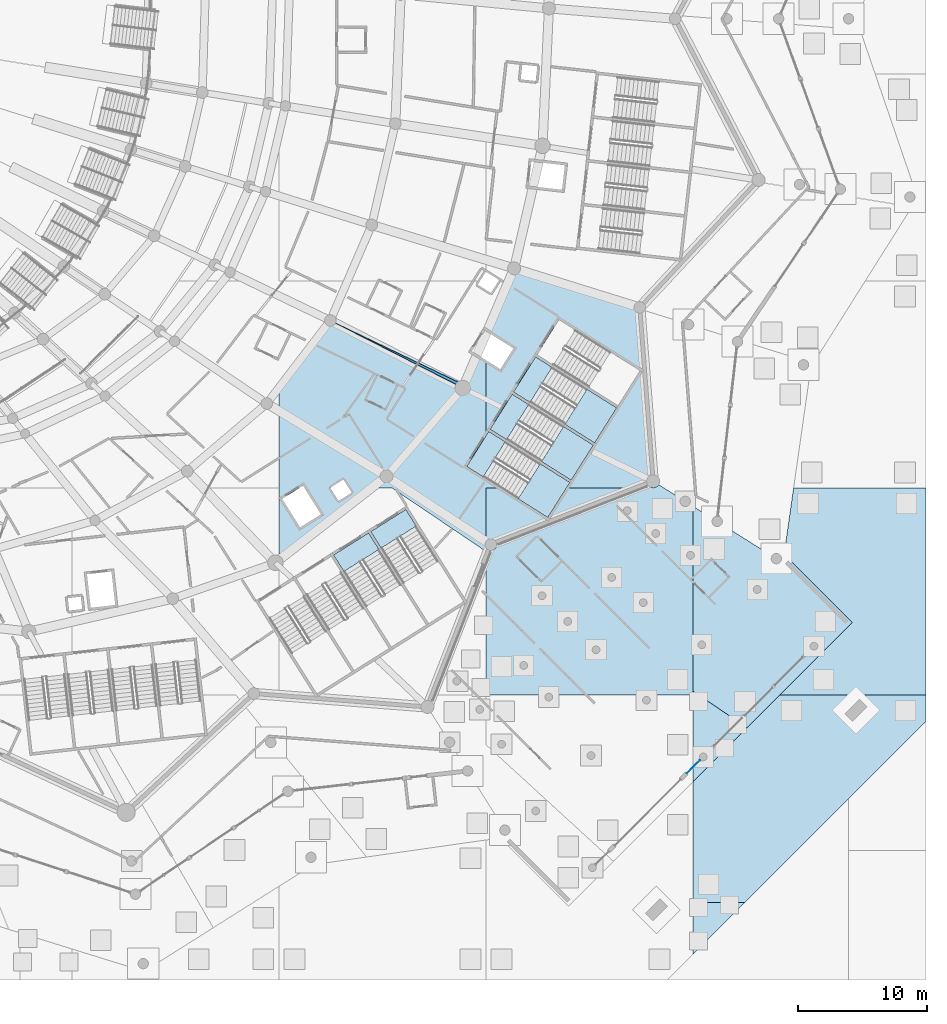
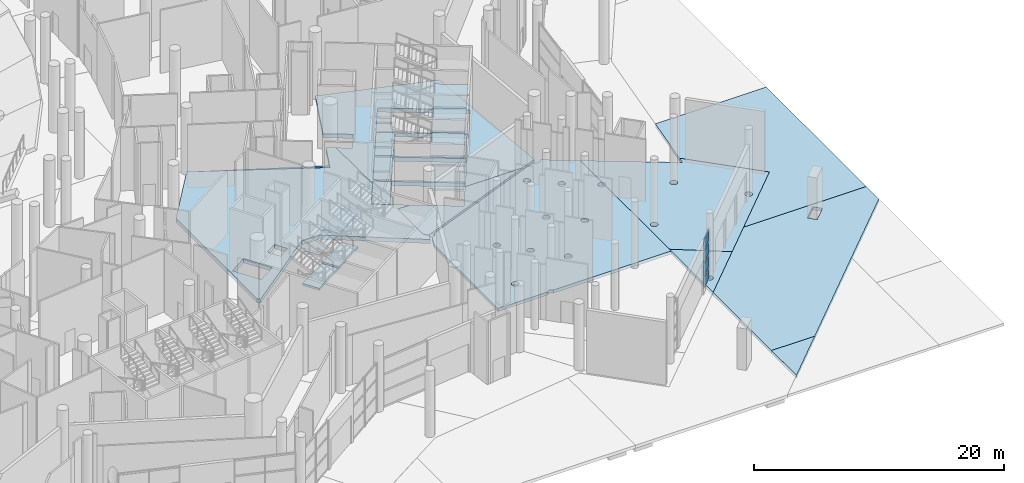
# One storey, part 81 of 255: 26 slabs, 4 plates, 6 elements without a shape of their own.
"""IFC4 building model written with IfcOpenShell, lengths in metres."""

from ifc_helpers import new_model, si_unit, direction, frame, origin, origin_2d, place, context, subcontext, project, spatial, polyline, rectangle, outline, extrude, material, layer, layer_set, type_object, element, aggregate, save


model = new_model("IFC4")

# Units and contexts
model_context = context("Model", 3, precision=1e-05, world=origin(), true_north=direction((0.0, 1.0)))
body_context = subcontext(model_context, "Body", "Model", "MODEL_VIEW")
ifc_project = project(units=[si_unit("LENGTHUNIT", "METRE"), si_unit("AREAUNIT", "SQUARE_METRE"), si_unit("VOLUMEUNIT", "CUBIC_METRE"), si_unit("PLANEANGLEUNIT", "RADIAN"), si_unit("MASSUNIT", "GRAM", prefix="KILO")], contexts=[model_context])

# Site, building, storey
site_placement = place(None, origin())
site = spatial("IfcSite", under=ifc_project, at=site_placement, CompositionType="ELEMENT")
building_placement = place(site_placement, origin())
building = spatial("IfcBuilding", under=site, at=building_placement, Name="Meseta Stadium", CompositionType="ELEMENT")
storey_placement = place(building_placement, origin())
storey = spatial("IfcBuildingStorey", under=building, at=storey_placement, Name="L00", CompositionType="ELEMENT", Elevation=0.0)

# Slabs
ifc_material_1 = material(Name="Concrete C40/50", Category="concrete")
ifc_layer_1 = layer(ifc_material_1, 0.39990234375)
ifc_layer_set_1 = layer_set([ifc_layer_1], Name="Floor slab 400")
slab_type_1 = type_object("IfcSlabType", Name="Floor slab 400", PredefinedType="FLOOR", material=ifc_layer_set_1)
slab_1_placement = place(storey_placement, frame((0.0, 0.0, -0.39990234375)))
element("IfcSlab", 1, at=slab_1_placement, inside=storey, type_object=slab_type_1, Name="Floor slab L00 sector 49 panel 12", PredefinedType="FLOOR", context=body_context, shape_type="SweptSolid", body=[
    extrude(outline(polyline([(78.505859375, -78.337646484375), (80.0, -75.959716796875), (80.0, -70.12353515625), (79.308349609375, -69.68896484375), (78.197998046875, -72.27197265625), (67.972412109375, -67.057861328125), (64.0, -72.251708984375), (64.0, -85.181396484375), (64.224365234375, -85.386962890625), (71.144287109375, -80.0), (72.741455078125, -80.0), (80.124267578125, -84.98388671875), (80.365478515625, -84.365478515625), (80.0, -84.126220703125), (80.0, -80.0), (81.151611328125, -80.0), (78.505859375, -78.337646484375)]), holes=[polyline([(67.967041015625, -79.9794921875), (68.983154296875, -79.341064453125), (69.62158203125, -80.357177734375), (68.605712890625, -80.99560546875), (67.967041015625, -79.9794921875)]), polyline([(65.86279296875, -79.82568359375), (67.245849609375, -82.027099609375), (65.63720703125, -83.0380859375), (64.25390625, -80.83642578125), (65.86279296875, -79.82568359375)])]), origin(), (0.0, 0.0, 1.0), 0.39990234375),
])
slab_2_placement = place(storey_placement, frame((0.0, 0.0, -0.39990234375)))
element("IfcSlab", 2, at=slab_2_placement, inside=storey, type_object=slab_type_1, Name="Floor slab L00 sector 49 panel 14", PredefinedType="FLOOR", context=body_context, shape_type="SweptSolid", body=[
    extrude(outline(polyline([(67.973388671875, -67.058349609375), (78.197998046875, -72.27197265625), (78.303466796875, -72.0263671875), (67.973388671875, -67.058349609375)])), origin(), (0.0, 0.0, 1.0), 0.39990234375),
])
slab_3_placement = place(storey_placement, frame((0.0, 0.0, -0.39990234375)))
element("IfcSlab", 3, at=slab_3_placement, inside=storey, type_object=slab_type_1, Name="Floor slab L00 sector 49 panel 16", PredefinedType="FLOOR", context=body_context, shape_type="SweptSolid", body=[
    extrude(outline(polyline([(80.0, -80.0), (80.0, -84.126220703125), (80.365478515625, -84.365478515625), (91.56103515625, -80.0), (86.20068359375, -80.0), (84.771484375, -82.274658203125), (81.151611328125, -80.0), (80.0, -80.0)])), origin(), (0.0, 0.0, 1.0), 0.39990234375),
])
slab_4_placement = place(storey_placement, frame((0.0, 0.0, -0.39990234375)))
element("IfcSlab", 4, at=slab_4_placement, inside=storey, type_object=slab_type_1, Name="Floor slab L00 sector 49 panel 17", PredefinedType="FLOOR", context=body_context, shape_type="SweptSolid", body=[
    extrude(outline(polyline([(81.10498046875, -70.81787109375), (80.0, -70.12353515625), (80.0, -75.959716796875), (80.208251953125, -75.628173828125), (86.47412109375, -79.565185546875), (86.20068359375, -80.0), (91.56103515625, -80.0), (92.908447265625, -79.474609375), (91.872802734375, -66.051513671875), (82.169189453125, -63.03369140625), (80.06787109375, -67.922119140625), (82.11572265625, -69.208984375), (81.10498046875, -70.81787109375)]), holes=[polyline([(82.01708984375, -72.749267578125), (88.282958984375, -76.686279296875), (86.58056640625, -79.395751953125), (80.314697265625, -75.458740234375), (82.01708984375, -72.749267578125)]), polyline([(82.123779296875, -72.579833984375), (83.826171875, -69.870361328125), (90.091796875, -73.807373046875), (88.389404296875, -76.516845703125), (82.123779296875, -72.579833984375)]), polyline([(83.9326171875, -69.700927734375), (85.635009765625, -66.991455078125), (91.90087890625, -70.9287109375), (90.1982421875, -73.63818359375), (83.9326171875, -69.700927734375)])]), origin(), (0.0, 0.0, 1.0), 0.39990234375),
])
ifc_material_2 = material(Name="Concrete C40/50", Category="concrete")
ifc_layer_2 = layer(ifc_material_2, 0.300048828125)
ifc_layer_set_2 = layer_set([ifc_layer_2], Name="Gate court paving 300")
slab_type_2 = type_object("IfcSlabType", Name="Gate court paving 300", PredefinedType="FLOOR", material=ifc_layer_set_2)
slab_5_placement = place(storey_placement, frame((0.0, 0.0, -0.300048828125)))
element("IfcSlab", 5, at=slab_5_placement, inside=storey, type_object=slab_type_2, Name="Gate 8 court paving panel 05", PredefinedType="FLOOR", context=body_context, shape_type="SweptSolid", body=[
    extrude(outline(polyline([(96.0, -112.0), (96.0, -116.00146484375), (100.00146484375, -112.0), (96.0, -112.0)])), origin(), (0.0, 0.0, 1.0), 0.300048828125),
])
slab_6_placement = place(storey_placement, frame((0.0, 0.0, -0.300048828125)))
element("IfcSlab", 6, at=slab_6_placement, inside=storey, type_object=slab_type_2, Name="Gate 8 court paving panel 06", PredefinedType="FLOOR", context=body_context, shape_type="SweptSolid", body=[
    extrude(outline(polyline([(96.0, -112.0), (100.00146484375, -112.0), (114.0, -98.00146484375), (114.0, -96.0), (102.671875, -96.0), (96.0, -102.671875), (96.0, -112.0)]), holes=[polyline([(107.73046875, -97.447021484375), (108.86181640625, -96.3154296875), (109.427490234375, -96.881103515625), (108.296142578125, -98.0126953125), (107.73046875, -97.447021484375)])]), origin(), (0.0, 0.0, 1.0), 0.300048828125),
])
slab_7_placement = place(storey_placement, frame((0.0, 0.0, -0.300048828125)))
element("IfcSlab", 7, at=slab_7_placement, inside=storey, type_object=slab_type_2, Name="Gate 8 court paving panel 07", PredefinedType="FLOOR", context=body_context, shape_type="SweptSolid", body=[
    extrude(outline(polyline([(114.0, -80.0), (103.755126953125, -80.0), (103.0263671875, -85.106201171875), (108.296142578125, -90.375732421875), (102.671875, -96.0), (114.0, -96.0), (114.0, -80.0)])), origin(), (0.0, 0.0, 1.0), 0.300048828125),
])
ifc_material_3 = material(Name="Concrete C30/37", Category="concrete")
ifc_layer_3 = layer(ifc_material_3, 0.300048828125)
ifc_layer_set_3 = layer_set([ifc_layer_3], Name="Gate grade slab 300")
slab_type_3 = type_object("IfcSlabType", Name="Gate grade slab 300", PredefinedType="BASESLAB", material=ifc_layer_set_3)
slab_8_placement = place(storey_placement, frame((0.0, 0.0, -0.300048828125)))
element("IfcSlab", 8, at=slab_8_placement, inside=storey, type_object=slab_type_3, Name="Gate ground floor slab 8 panel 03", PredefinedType="BASESLAB", context=body_context, shape_type="SweptSolid", body=[
    extrude(outline(polyline([(85.06298828125, -95.931396484375), (85.111083984375, -95.993896484375), (85.113525390625, -96.0), (96.0, -96.0), (96.0, -85.42041015625), (95.944580078125, -85.462890625), (95.87158203125, -85.4931640625), (95.79345703125, -85.50341796875), (95.715087890625, -85.4931640625), (95.64208984375, -85.462890625), (95.579345703125, -85.414794921875), (95.53125, -85.352294921875), (95.501220703125, -85.279296875), (95.49072265625, -85.200927734375), (95.501220703125, -85.12255859375), (95.53125, -85.049560546875), (95.579345703125, -84.98681640625), (95.64208984375, -84.938720703125), (95.715087890625, -84.90869140625), (95.79345703125, -84.898193359375), (95.87158203125, -84.90869140625), (95.944580078125, -84.938720703125), (96.0, -84.981201171875), (96.0, -81.416015625), (93.33447265625, -79.740966796875), (93.26513671875, -79.831298828125), (93.16064453125, -79.911376953125), (93.0390625, -79.961669921875), (92.908447265625, -79.97900390625), (92.778076171875, -79.961669921875), (92.656494140625, -79.911376953125), (92.552001953125, -79.831298828125), (92.53759765625, -79.8125), (80.81689453125, -84.382568359375), (80.8037109375, -84.48291015625), (80.758544921875, -84.59228515625), (80.686279296875, -84.686279296875), (80.59228515625, -84.758544921875), (80.48291015625, -84.8037109375), (80.382568359375, -84.81689453125), (80.0, -85.798095703125), (80.0, -96.0), (84.58447265625, -96.0), (84.5869140625, -95.993896484375), (84.635009765625, -95.931396484375), (84.69775390625, -95.88330078125), (84.770751953125, -95.85302734375), (84.84912109375, -95.8427734375), (84.92724609375, -95.85302734375), (85.000244140625, -95.88330078125), (85.06298828125, -95.931396484375)]), holes=[polyline([(83.199462890625, -93.624755859375), (83.209716796875, -93.703125), (83.199462890625, -93.781494140625), (83.169189453125, -93.854248046875), (83.12109375, -93.9169921875), (83.058349609375, -93.965087890625), (82.9853515625, -93.995361328125), (82.906982421875, -94.005615234375), (82.828857421875, -93.995361328125), (82.755859375, -93.965087890625), (82.693115234375, -93.9169921875), (82.64501953125, -93.854248046875), (82.61474609375, -93.781494140625), (82.6044921875, -93.703125), (82.61474609375, -93.624755859375), (82.64501953125, -93.5517578125), (82.693115234375, -93.489013671875), (82.755859375, -93.44091796875), (82.828857421875, -93.410888671875), (82.906982421875, -93.400390625), (82.9853515625, -93.410888671875), (83.058349609375, -93.44091796875), (83.12109375, -93.489013671875), (83.169189453125, -93.5517578125), (83.199462890625, -93.624755859375)]), polyline([(86.597412109375, -90.226806640625), (86.607666015625, -90.30517578125), (86.597412109375, -90.38330078125), (86.567138671875, -90.456298828125), (86.51904296875, -90.51904296875), (86.456298828125, -90.567138671875), (86.38330078125, -90.597412109375), (86.30517578125, -90.607666015625), (86.226806640625, -90.597412109375), (86.15380859375, -90.567138671875), (86.091064453125, -90.51904296875), (86.04296875, -90.456298828125), (86.0126953125, -90.38330078125), (86.00244140625, -90.30517578125), (86.0126953125, -90.226806640625), (86.04296875, -90.15380859375), (86.091064453125, -90.091064453125), (86.15380859375, -90.04296875), (86.226806640625, -90.0126953125), (86.30517578125, -90.00244140625), (86.38330078125, -90.0126953125), (86.456298828125, -90.04296875), (86.51904296875, -90.091064453125), (86.567138671875, -90.15380859375), (86.597412109375, -90.226806640625)]), polyline([(84.617431640625, -88.246826171875), (84.627685546875, -88.3251953125), (84.617431640625, -88.403564453125), (84.587158203125, -88.4765625), (84.539306640625, -88.539306640625), (84.4765625, -88.587158203125), (84.403564453125, -88.617431640625), (84.3251953125, -88.627685546875), (84.246826171875, -88.617431640625), (84.173828125, -88.587158203125), (84.111083984375, -88.539306640625), (84.06298828125, -88.4765625), (84.032958984375, -88.403564453125), (84.022705078125, -88.3251953125), (84.032958984375, -88.246826171875), (84.06298828125, -88.173828125), (84.111083984375, -88.111083984375), (84.173828125, -88.06298828125), (84.246826171875, -88.032958984375), (84.3251953125, -88.022705078125), (84.403564453125, -88.032958984375), (84.4765625, -88.06298828125), (84.539306640625, -88.111083984375), (84.587158203125, -88.173828125), (84.617431640625, -88.246826171875)]), polyline([(88.789306640625, -92.418701171875), (88.7998046875, -92.4970703125), (88.789306640625, -92.575439453125), (88.75927734375, -92.6484375), (88.711181640625, -92.711181640625), (88.6484375, -92.75927734375), (88.575439453125, -92.789306640625), (88.4970703125, -92.7998046875), (88.418701171875, -92.789306640625), (88.345703125, -92.75927734375), (88.283203125, -92.711181640625), (88.235107421875, -92.6484375), (88.204833984375, -92.575439453125), (88.194580078125, -92.4970703125), (88.204833984375, -92.418701171875), (88.235107421875, -92.345703125), (88.283203125, -92.283203125), (88.345703125, -92.235107421875), (88.418701171875, -92.204833984375), (88.4970703125, -92.194580078125), (88.575439453125, -92.204833984375), (88.6484375, -92.235107421875), (88.711181640625, -92.283203125), (88.75927734375, -92.345703125), (88.789306640625, -92.418701171875)]), polyline([(92.4375, -88.770751953125), (92.44775390625, -88.84912109375), (92.4375, -88.92724609375), (92.4072265625, -89.000244140625), (92.359130859375, -89.06298828125), (92.29638671875, -89.111083984375), (92.2236328125, -89.141357421875), (92.145263671875, -89.151611328125), (92.06689453125, -89.141357421875), (91.993896484375, -89.111083984375), (91.931396484375, -89.06298828125), (91.88330078125, -89.000244140625), (91.85302734375, -88.92724609375), (91.8427734375, -88.84912109375), (91.85302734375, -88.770751953125), (91.88330078125, -88.69775390625), (91.931396484375, -88.635009765625), (91.993896484375, -88.5869140625), (92.06689453125, -88.556640625), (92.145263671875, -88.54638671875), (92.2236328125, -88.556640625), (92.29638671875, -88.5869140625), (92.359130859375, -88.635009765625), (92.4072265625, -88.69775390625), (92.4375, -88.770751953125)]), polyline([(89.995361328125, -86.828857421875), (90.005615234375, -86.906982421875), (89.995361328125, -86.9853515625), (89.965087890625, -87.058349609375), (89.9169921875, -87.12109375), (89.854248046875, -87.169189453125), (89.781494140625, -87.199462890625), (89.703125, -87.209716796875), (89.624755859375, -87.199462890625), (89.5517578125, -87.169189453125), (89.489013671875, -87.12109375), (89.44091796875, -87.058349609375), (89.410888671875, -86.9853515625), (89.400390625, -86.906982421875), (89.410888671875, -86.828857421875), (89.44091796875, -86.755859375), (89.489013671875, -86.693115234375), (89.5517578125, -86.64501953125), (89.624755859375, -86.61474609375), (89.703125, -86.6044921875), (89.781494140625, -86.61474609375), (89.854248046875, -86.64501953125), (89.9169921875, -86.693115234375), (89.965087890625, -86.755859375), (89.995361328125, -86.828857421875)]), polyline([(93.393310546875, -83.430908203125), (93.403564453125, -83.50927734375), (93.393310546875, -83.58740234375), (93.363037109375, -83.660400390625), (93.31494140625, -83.72314453125), (93.252197265625, -83.771240234375), (93.17919921875, -83.801513671875), (93.10107421875, -83.811767578125), (93.022705078125, -83.801513671875), (92.94970703125, -83.771240234375), (92.88720703125, -83.72314453125), (92.839111328125, -83.660400390625), (92.80859375, -83.58740234375), (92.79833984375, -83.50927734375), (92.80859375, -83.430908203125), (92.839111328125, -83.35791015625), (92.88720703125, -83.295166015625), (92.94970703125, -83.2470703125), (93.022705078125, -83.216796875), (93.10107421875, -83.20654296875), (93.17919921875, -83.216796875), (93.252197265625, -83.2470703125), (93.31494140625, -83.295166015625), (93.363037109375, -83.35791015625), (93.393310546875, -83.430908203125)]), polyline([(91.200927734375, -81.663330078125), (91.211181640625, -81.74169921875), (91.200927734375, -81.820068359375), (91.170654296875, -81.89306640625), (91.12255859375, -81.955810546875), (91.059814453125, -82.00390625), (90.98681640625, -82.033935546875), (90.90869140625, -82.044189453125), (90.830322265625, -82.033935546875), (90.75732421875, -82.00390625), (90.694580078125, -81.955810546875), (90.646484375, -81.89306640625), (90.6162109375, -81.820068359375), (90.60595703125, -81.74169921875), (90.6162109375, -81.663330078125), (90.646484375, -81.590576171875), (90.694580078125, -81.52783203125), (90.75732421875, -81.479736328125), (90.830322265625, -81.449462890625), (90.90869140625, -81.439208984375), (90.98681640625, -81.449462890625), (91.059814453125, -81.479736328125), (91.12255859375, -81.52783203125), (91.170654296875, -81.590576171875), (91.200927734375, -81.663330078125)])]), origin(), (0.0, 0.0, 1.0), 0.300048828125),
])
slab_9_placement = place(storey_placement, frame((0.0, 0.0, -0.300048828125)))
element("IfcSlab", 9, at=slab_9_placement, inside=storey, type_object=slab_type_3, Name="Gate ground floor slab 8 panel 05", PredefinedType="BASESLAB", context=body_context, shape_type="SweptSolid", body=[
    extrude(outline(polyline([(100.16162109375, -98.51025390625), (96.0, -95.700927734375), (96.0, -96.0), (96.0, -102.671875), (100.16162109375, -98.51025390625)]), holes=[polyline([(97.0625, -100.8486328125), (97.0322265625, -100.921630859375), (96.984130859375, -100.984130859375), (96.921630859375, -101.0322265625), (96.8486328125, -101.0625), (96.770263671875, -101.072998046875), (96.69189453125, -101.0625), (96.618896484375, -101.0322265625), (96.556396484375, -100.984130859375), (96.50830078125, -100.921630859375), (96.47802734375, -100.8486328125), (96.4677734375, -100.770263671875), (96.47802734375, -100.69189453125), (96.50830078125, -100.618896484375), (96.556396484375, -100.556396484375), (96.618896484375, -100.50830078125), (96.69189453125, -100.47802734375), (96.770263671875, -100.4677734375), (96.8486328125, -100.47802734375), (96.921630859375, -100.50830078125), (96.984130859375, -100.556396484375), (97.0322265625, -100.618896484375), (97.0625, -100.69189453125), (97.072998046875, -100.770263671875), (97.0625, -100.8486328125)])]), origin(), (0.0, 0.0, 1.0), 0.300048828125),
])
slab_10_placement = place(storey_placement, frame((0.0, 0.0, -0.300048828125)))
element("IfcSlab", 10, at=slab_10_placement, inside=storey, type_object=slab_type_3, Name="Gate ground floor slab 8 panel 06", PredefinedType="BASESLAB", context=body_context, shape_type="SweptSolid", body=[
    extrude(outline(polyline([(96.0, -95.700927734375), (100.16162109375, -98.51025390625), (108.296142578125, -90.375732421875), (103.0263671875, -85.106201171875), (102.931396484375, -85.771240234375), (96.0, -81.416015625), (96.0, -84.981201171875), (96.00732421875, -84.98681640625), (96.055419921875, -85.049560546875), (96.085693359375, -85.12255859375), (96.095947265625, -85.200927734375), (96.085693359375, -85.279296875), (96.055419921875, -85.352294921875), (96.00732421875, -85.414794921875), (96.0, -85.42041015625), (96.0, -95.700927734375)]), holes=[polyline([(105.618408203125, -92.29248046875), (105.58837890625, -92.365478515625), (105.540283203125, -92.42822265625), (105.4775390625, -92.476318359375), (105.404541015625, -92.506591796875), (105.326416015625, -92.516845703125), (105.247802734375, -92.506591796875), (105.175048828125, -92.476318359375), (105.1123046875, -92.42822265625), (105.064208984375, -92.365478515625), (105.033935546875, -92.29248046875), (105.023681640625, -92.21435546875), (105.033935546875, -92.135986328125), (105.064208984375, -92.06298828125), (105.1123046875, -92.000244140625), (105.175048828125, -91.9521484375), (105.247802734375, -91.922119140625), (105.326416015625, -91.91162109375), (105.404541015625, -91.922119140625), (105.4775390625, -91.9521484375), (105.540283203125, -92.000244140625), (105.58837890625, -92.06298828125), (105.618408203125, -92.135986328125), (105.62890625, -92.21435546875), (105.618408203125, -92.29248046875)]), polyline([(96.95654296875, -92.1865234375), (96.92626953125, -92.259521484375), (96.878173828125, -92.322265625), (96.8154296875, -92.370361328125), (96.742431640625, -92.400390625), (96.664306640625, -92.410888671875), (96.5859375, -92.400390625), (96.512939453125, -92.370361328125), (96.4501953125, -92.322265625), (96.402099609375, -92.259521484375), (96.371826171875, -92.1865234375), (96.361572265625, -92.108154296875), (96.371826171875, -92.02978515625), (96.402099609375, -91.956787109375), (96.4501953125, -91.894287109375), (96.512939453125, -91.84619140625), (96.5859375, -91.81591796875), (96.664306640625, -91.8056640625), (96.742431640625, -91.81591796875), (96.8154296875, -91.84619140625), (96.878173828125, -91.894287109375), (96.92626953125, -91.956787109375), (96.95654296875, -92.02978515625), (96.966796875, -92.108154296875), (96.95654296875, -92.1865234375)]), polyline([(101.244873046875, -87.830078125), (101.234619140625, -87.908447265625), (101.2041015625, -87.9814453125), (101.15625, -88.044189453125), (101.093505859375, -88.09228515625), (101.0205078125, -88.12255859375), (100.942138671875, -88.1328125), (100.864013671875, -88.12255859375), (100.791015625, -88.09228515625), (100.728271484375, -88.044189453125), (100.68017578125, -87.9814453125), (100.64990234375, -87.908447265625), (100.6396484375, -87.830078125), (100.64990234375, -87.751953125), (100.68017578125, -87.678955078125), (100.728271484375, -87.6162109375), (100.791015625, -87.568115234375), (100.864013671875, -87.537841796875), (100.942138671875, -87.527587890625), (101.0205078125, -87.537841796875), (101.093505859375, -87.568115234375), (101.15625, -87.6162109375), (101.2041015625, -87.678955078125), (101.234619140625, -87.751953125), (101.244873046875, -87.830078125)])]), origin(), (0.0, 0.0, 1.0), 0.300048828125),
])

# Curtain wall, plates
ifc_material_4 = material(Name="Aluminium", Category="aluminium")
ifc_layer_4 = layer(ifc_material_4, 0.199951171875)
ifc_layer_set_4 = layer_set([ifc_layer_4], Name="Gate hall curtain wall")
curtain_wall_type = type_object("IfcCurtainWallType", Name="Gate hall curtain wall", PredefinedType="NOTDEFINED", material=ifc_layer_set_4)
curtain_wall_placement = place(storey_placement, origin())
curtain_wall = element("IfcCurtainWall", 11, at=curtain_wall_placement, inside=storey, type_object=curtain_wall_type, Name="Gate 8 glazing", PredefinedType="NOTDEFINED")
ifc_material_5 = material(Name="Glass", Category="glass")
ifc_layer_5 = layer(ifc_material_5, 0.035888671875)
ifc_layer_set_5 = layer_set([ifc_layer_5], Name="Ring CW glass panel 36")
plate_type = type_object("IfcPlateType", Name="Ring CW glass panel 36", PredefinedType="CURTAIN_PANEL", material=ifc_layer_set_5)
plate_1_placement = place(storey_placement, frame((96.010009765625, -101.530517578125, 0.14990234375), z_axis=(0.0, 0.0, 1.0), x_axis=(0.707106781187, 0.707106781187, 0.0)))
plate_1 = element("IfcPlate", 12, at=plate_1_placement, type_object=plate_type, Name="CWG1 panel 1.1", PredefinedType="CURTAIN_PANEL", context=body_context, shape_type="SweptSolid", body=[
    extrude(rectangle(XDim=1.429931640625, YDim=0.035888671875, at=origin_2d()), origin(), (0.0, 0.0, 1.0), 1.03759765625),
])
plate_2_placement = place(storey_placement, frame((96.010009765625, -101.530517578125, 1.33740234375), z_axis=(0.0, 0.0, 1.0), x_axis=(0.707106781187, 0.707106781187, 0.0)))
plate_2 = element("IfcPlate", 13, at=plate_2_placement, type_object=plate_type, Name="CWG1 panel 1.2", PredefinedType="CURTAIN_PANEL", context=body_context, shape_type="SweptSolid", body=[
    extrude(rectangle(XDim=1.429931640625, YDim=0.035888671875, at=origin_2d()), origin(), (0.0, 0.0, 1.0), 1.112548828125),
])
plate_3_placement = place(storey_placement, frame((96.010009765625, -101.530517578125, 2.60009765625), z_axis=(0.0, 0.0, 1.0), x_axis=(0.707106781187, 0.707106781187, 0.0)))
plate_3 = element("IfcPlate", 14, at=plate_3_placement, type_object=plate_type, Name="CWG1 panel 1.3", PredefinedType="CURTAIN_PANEL", context=body_context, shape_type="SweptSolid", body=[
    extrude(rectangle(XDim=1.429931640625, YDim=0.035888671875, at=origin_2d()), origin(), (0.0, 0.0, 1.0), 1.112548828125),
])
plate_4_placement = place(storey_placement, frame((96.010009765625, -101.530517578125, 3.862548828125), z_axis=(0.0, 0.0, 1.0), x_axis=(0.707106781187, 0.707106781187, 0.0)))
plate_4 = element("IfcPlate", 15, at=plate_4_placement, type_object=plate_type, Name="CWG1 panel 1.4", PredefinedType="CURTAIN_PANEL", context=body_context, shape_type="SweptSolid", body=[
    extrude(rectangle(XDim=1.429931640625, YDim=0.035888671875, at=origin_2d()), origin(), (0.0, 0.0, 1.0), 1.03759765625),
])
aggregate(curtain_wall, [plate_1, plate_2, plate_3, plate_4])

# Stair, slabs
ifc_material_6 = material(Name="Concrete C40/50", Category="concrete")
stair_type = type_object("IfcStairType", Name="Exit stair 4 flights 148 mm risers", PredefinedType="HALF_TURN_STAIR", material=ifc_material_6)
stair_1_placement = place(storey_placement, origin())
stair_1 = element("IfcStair", 16, at=stair_1_placement, inside=storey, type_object=stair_type, Name="ST107 L00", PredefinedType="HALF_TURN_STAIR")
ifc_material_7 = material(Name="Concrete C40/50", Category="concrete")
ifc_layer_6 = layer(ifc_material_7, 0.199951171875)
ifc_layer_set_6 = layer_set([ifc_layer_6], Name="Stair landing 200")
slab_type_4 = type_object("IfcSlabType", Name="Stair landing 200", PredefinedType="LANDING", material=ifc_layer_set_6)
slab_11_placement = place(storey_placement, frame((0.0, 0.0, 3.050048828125)))
slab_11 = element("IfcSlab", 17, at=slab_11_placement, type_object=slab_type_4, Name="ST107 L00 landing 2", PredefinedType="LANDING", context=body_context, shape_type="SweptSolid", body=[
    extrude(outline(polyline([(68.21728515625, -85.17041015625), (69.0205078125, -86.448974609375), (71.72998046875, -84.74658203125), (70.9267578125, -83.468017578125), (68.21728515625, -85.17041015625)])), origin(), (0.0, 0.0, 1.0), 0.199951171875),
])
slab_12_placement = place(storey_placement, frame((0.0, 0.0, -0.199951171875)))
slab_12 = element("IfcSlab", 18, at=slab_12_placement, type_object=slab_type_4, Name="ST107 L00 landing 4", PredefinedType="LANDING", context=body_context, shape_type="SweptSolid", body=[
    extrude(outline(polyline([(68.21728515625, -85.17041015625), (69.0205078125, -86.448974609375), (71.72998046875, -84.74658203125), (70.9267578125, -83.468017578125), (68.21728515625, -85.17041015625)])), origin(), (0.0, 0.0, 1.0), 0.199951171875),
])
aggregate(stair_1, [slab_11, slab_12])

stair_2_placement = place(storey_placement, origin())
stair_2 = element("IfcStair", 19, at=stair_2_placement, inside=storey, type_object=stair_type, Name="ST108 L00", PredefinedType="HALF_TURN_STAIR")
slab_13_placement = place(storey_placement, frame((0.0, 0.0, 3.050048828125)))
slab_13 = element("IfcSlab", 20, at=slab_13_placement, type_object=slab_type_4, Name="ST108 L00 landing 2", PredefinedType="LANDING", context=body_context, shape_type="SweptSolid", body=[
    extrude(outline(polyline([(71.095947265625, -83.361572265625), (71.8994140625, -84.64013671875), (74.60888671875, -82.937744140625), (73.8056640625, -81.6591796875), (71.095947265625, -83.361572265625)])), origin(), (0.0, 0.0, 1.0), 0.199951171875),
])
slab_14_placement = place(storey_placement, frame((0.0, 0.0, -0.199951171875)))
slab_14 = element("IfcSlab", 21, at=slab_14_placement, type_object=slab_type_4, Name="ST108 L00 landing 4", PredefinedType="LANDING", context=body_context, shape_type="SweptSolid", body=[
    extrude(outline(polyline([(71.095947265625, -83.361572265625), (71.8994140625, -84.64013671875), (74.60888671875, -82.937744140625), (73.8056640625, -81.6591796875), (71.095947265625, -83.361572265625)])), origin(), (0.0, 0.0, 1.0), 0.199951171875),
])
aggregate(stair_2, [slab_13, slab_14])

stair_3_placement = place(storey_placement, origin())
stair_3 = element("IfcStair", 22, at=stair_3_placement, inside=storey, type_object=stair_type, Name="ST109 L00", PredefinedType="HALF_TURN_STAIR")
slab_15_placement = place(storey_placement, frame((0.0, 0.0, 1.425048828125)))
slab_15 = element("IfcSlab", 23, at=slab_15_placement, type_object=slab_type_4, Name="ST109 L00 landing 1", PredefinedType="LANDING", context=body_context, shape_type="SweptSolid", body=[
    extrude(outline(polyline([(82.47705078125, -80.832763671875), (84.771484375, -82.274658203125), (86.47412109375, -79.565185546875), (84.179443359375, -78.123291015625), (82.47705078125, -80.832763671875)])), origin(), (0.0, 0.0, 1.0), 0.199951171875),
])
slab_16_placement = place(storey_placement, frame((0.0, 0.0, 3.050048828125)))
slab_16 = element("IfcSlab", 24, at=slab_16_placement, type_object=slab_type_4, Name="ST109 L00 landing 2", PredefinedType="LANDING", context=body_context, shape_type="SweptSolid", body=[
    extrude(outline(polyline([(78.505859375, -78.337646484375), (79.784423828125, -79.140869140625), (81.48681640625, -76.431396484375), (80.208251953125, -75.628173828125), (78.505859375, -78.337646484375)])), origin(), (0.0, 0.0, 1.0), 0.199951171875),
])
slab_17_placement = place(storey_placement, frame((0.0, 0.0, 4.675048828125)))
slab_17 = element("IfcSlab", 25, at=slab_17_placement, type_object=slab_type_4, Name="ST109 L00 landing 3", PredefinedType="LANDING", context=body_context, shape_type="SweptSolid", body=[
    extrude(outline(polyline([(82.47705078125, -80.832763671875), (84.771484375, -82.274658203125), (86.47412109375, -79.565185546875), (84.179443359375, -78.123291015625), (82.47705078125, -80.832763671875)])), origin(), (0.0, 0.0, 1.0), 0.199951171875),
])
slab_18_placement = place(storey_placement, frame((0.0, 0.0, -0.199951171875)))
slab_18 = element("IfcSlab", 26, at=slab_18_placement, type_object=slab_type_4, Name="ST109 L00 landing 4", PredefinedType="LANDING", context=body_context, shape_type="SweptSolid", body=[
    extrude(outline(polyline([(78.505859375, -78.337646484375), (79.784423828125, -79.140869140625), (81.48681640625, -76.431396484375), (80.208251953125, -75.628173828125), (78.505859375, -78.337646484375)])), origin(), (0.0, 0.0, 1.0), 0.199951171875),
])
aggregate(stair_3, [slab_15, slab_16, slab_17, slab_18])

stair_4_placement = place(storey_placement, origin())
stair_4 = element("IfcStair", 27, at=stair_4_placement, inside=storey, type_object=stair_type, Name="ST110 L00", PredefinedType="HALF_TURN_STAIR")
slab_19_placement = place(storey_placement, frame((0.0, 0.0, 1.425048828125)))
slab_19 = element("IfcSlab", 28, at=slab_19_placement, type_object=slab_type_4, Name="ST110 L00 landing 1", PredefinedType="LANDING", context=body_context, shape_type="SweptSolid", body=[
    extrude(outline(polyline([(84.285888671875, -77.9541015625), (86.58056640625, -79.395751953125), (88.282958984375, -76.686279296875), (85.98828125, -75.244384765625), (84.285888671875, -77.9541015625)])), origin(), (0.0, 0.0, 1.0), 0.199951171875),
])
slab_20_placement = place(storey_placement, frame((0.0, 0.0, 3.050048828125)))
slab_20 = element("IfcSlab", 29, at=slab_20_placement, type_object=slab_type_4, Name="ST110 L00 landing 2", PredefinedType="LANDING", context=body_context, shape_type="SweptSolid", body=[
    extrude(outline(polyline([(80.314697265625, -75.458740234375), (81.59326171875, -76.26220703125), (83.2958984375, -73.552490234375), (82.017333984375, -72.749267578125), (80.314697265625, -75.458740234375)])), origin(), (0.0, 0.0, 1.0), 0.199951171875),
])
slab_21_placement = place(storey_placement, frame((0.0, 0.0, 4.675048828125)))
slab_21 = element("IfcSlab", 30, at=slab_21_placement, type_object=slab_type_4, Name="ST110 L00 landing 3", PredefinedType="LANDING", context=body_context, shape_type="SweptSolid", body=[
    extrude(outline(polyline([(84.285888671875, -77.9541015625), (86.58056640625, -79.395751953125), (88.282958984375, -76.686279296875), (85.98828125, -75.244384765625), (84.285888671875, -77.9541015625)])), origin(), (0.0, 0.0, 1.0), 0.199951171875),
])
slab_22_placement = place(storey_placement, frame((0.0, 0.0, -0.199951171875)))
slab_22 = element("IfcSlab", 31, at=slab_22_placement, type_object=slab_type_4, Name="ST110 L00 landing 4", PredefinedType="LANDING", context=body_context, shape_type="SweptSolid", body=[
    extrude(outline(polyline([(80.314697265625, -75.458740234375), (81.59326171875, -76.26220703125), (83.2958984375, -73.552490234375), (82.017333984375, -72.749267578125), (80.314697265625, -75.458740234375)])), origin(), (0.0, 0.0, 1.0), 0.199951171875),
])
aggregate(stair_4, [slab_19, slab_20, slab_21, slab_22])

stair_5_placement = place(storey_placement, origin())
stair_5 = element("IfcStair", 32, at=stair_5_placement, inside=storey, type_object=stair_type, Name="ST111 L00", PredefinedType="HALF_TURN_STAIR")
slab_23_placement = place(storey_placement, frame((0.0, 0.0, 1.425048828125)))
slab_23 = element("IfcSlab", 33, at=slab_23_placement, type_object=slab_type_4, Name="ST111 L00 landing 1", PredefinedType="LANDING", context=body_context, shape_type="SweptSolid", body=[
    extrude(outline(polyline([(86.0947265625, -75.0751953125), (88.389404296875, -76.516845703125), (90.091796875, -73.807373046875), (87.79736328125, -72.36572265625), (86.0947265625, -75.0751953125)])), origin(), (0.0, 0.0, 1.0), 0.199951171875),
])
slab_24_placement = place(storey_placement, frame((0.0, 0.0, 3.050048828125)))
slab_24 = element("IfcSlab", 34, at=slab_24_placement, type_object=slab_type_4, Name="ST111 L00 landing 2", PredefinedType="LANDING", context=body_context, shape_type="SweptSolid", body=[
    extrude(outline(polyline([(82.12353515625, -72.579833984375), (83.402099609375, -73.38330078125), (85.104736328125, -70.673828125), (83.826171875, -69.870361328125), (82.12353515625, -72.579833984375)])), origin(), (0.0, 0.0, 1.0), 0.199951171875),
])
slab_25_placement = place(storey_placement, frame((0.0, 0.0, 4.675048828125)))
slab_25 = element("IfcSlab", 35, at=slab_25_placement, type_object=slab_type_4, Name="ST111 L00 landing 3", PredefinedType="LANDING", context=body_context, shape_type="SweptSolid", body=[
    extrude(outline(polyline([(86.0947265625, -75.0751953125), (88.389404296875, -76.516845703125), (90.091796875, -73.807373046875), (87.79736328125, -72.36572265625), (86.0947265625, -75.0751953125)])), origin(), (0.0, 0.0, 1.0), 0.199951171875),
])
slab_26_placement = place(storey_placement, frame((0.0, 0.0, -0.199951171875)))
slab_26 = element("IfcSlab", 36, at=slab_26_placement, type_object=slab_type_4, Name="ST111 L00 landing 4", PredefinedType="LANDING", context=body_context, shape_type="SweptSolid", body=[
    extrude(outline(polyline([(82.12353515625, -72.579833984375), (83.402099609375, -73.38330078125), (85.104736328125, -70.673828125), (83.826171875, -69.870361328125), (82.12353515625, -72.579833984375)])), origin(), (0.0, 0.0, 1.0), 0.199951171875),
])
aggregate(stair_5, [slab_23, slab_24, slab_25, slab_26])

save(model, "model.ifc")
